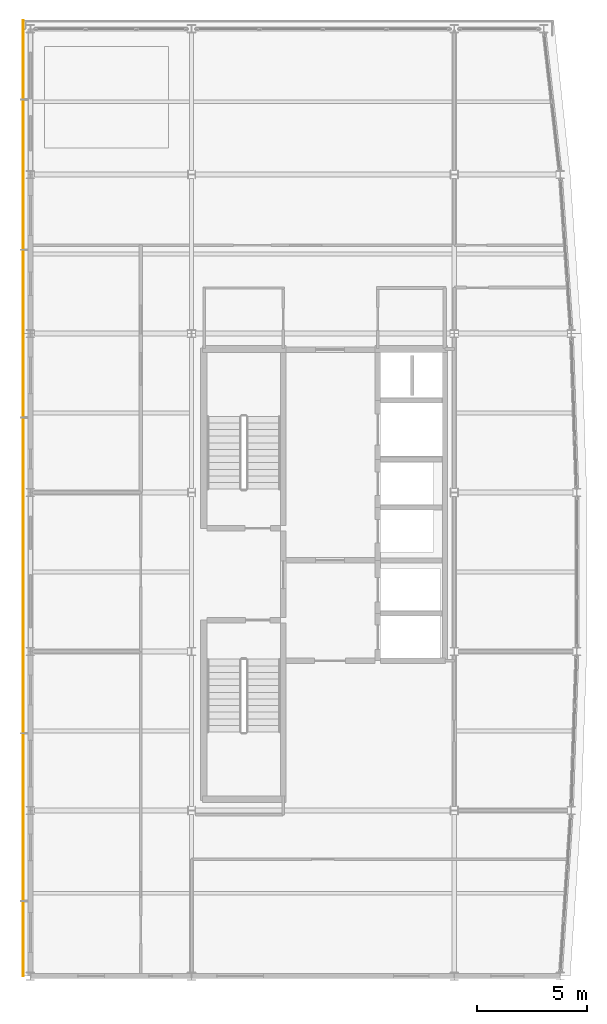
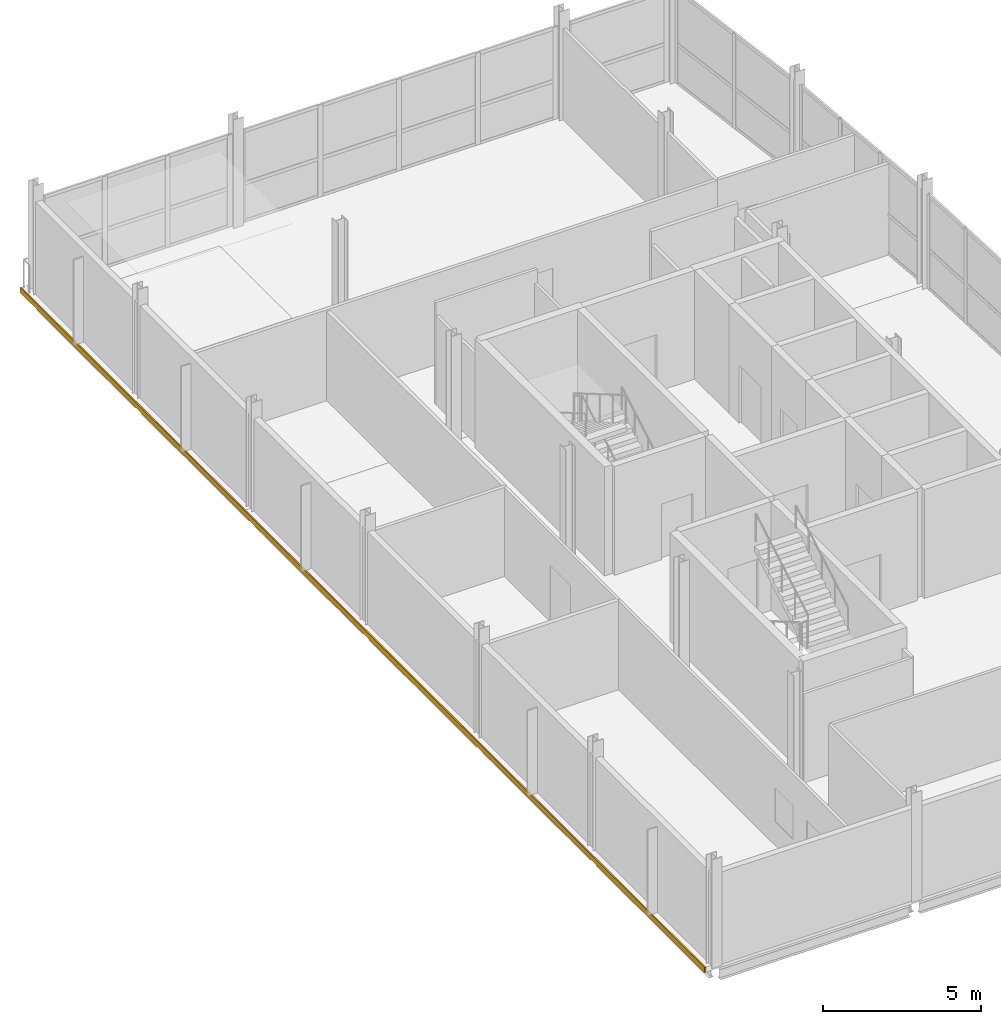
# One storey, part 16 of 17: 1 covering.
"""IFC4 building model written with IfcOpenShell, lengths in metres."""

from ifc_helpers import new_model, si_unit, direction, frame, origin, place, context, subcontext, project, spatial, polyline, outline, extrude, material, layer, layer_set, type_object, element, save


model = new_model("IFC4")

# Units and contexts
model_context = context("Model", 3, precision=1e-05, world=origin(), true_north=direction((0.0, 1.0)))
body_context = subcontext(model_context, "Body", "Model", "MODEL_VIEW")
ifc_project = project(units=[si_unit("LENGTHUNIT", "METRE"), si_unit("AREAUNIT", "SQUARE_METRE"), si_unit("VOLUMEUNIT", "CUBIC_METRE"), si_unit("PLANEANGLEUNIT", "RADIAN"), si_unit("MASSUNIT", "GRAM", prefix="KILO")], contexts=[model_context])

# Site, building, storey
site_placement = place(None, origin())
site = spatial("IfcSite", under=ifc_project, at=site_placement, CompositionType="ELEMENT")
building_placement = place(site_placement, origin())
building = spatial("IfcBuilding", under=site, at=building_placement, Name="Quillay Park Conservatory", CompositionType="ELEMENT")
storey_placement = place(building_placement, frame((0.0, 0.0, 56.10009765625)))
storey = spatial("IfcBuildingStorey", under=building, at=storey_placement, Name="L13", CompositionType="ELEMENT", Elevation=56.10009765625)

# Covering
ifc_material = material(Name="Glass-Fibre Reinforced Concrete (GRC) Cladding", Category="concrete")
ifc_layer = layer(ifc_material, 0.044921875)
ifc_layer_set = layer_set([ifc_layer], Name="GRC SPANDREL CLADDING 45 (Glass-Fibre Reinforced Concrete (GRC) Cladding)")
covering_type = type_object("IfcCoveringType", Name="GRC SPANDREL CLADDING 45", PredefinedType="CLADDING", material=ifc_layer_set)
covering_placement = place(storey_placement, frame((0.0, 0.0, -0.2001953125)))
element("IfcCovering", 1, at=covering_placement, inside=storey, type_object=covering_type, Name="L13 West Folded GRC Spandrel Ribbon", PredefinedType="CLADDING", context=body_context, shape_type="SweptSolid", body=[
    extrude(outline(polyline([(0.205078125, 70.5), (0.25, 70.5), (0.25, 113.800048828125), (0.205078125, 113.800048828125), (0.205078125, 70.5)])), origin(), (0.0, 0.0, 1.0), 0.2001953125),
])

save(model, "model.ifc")
